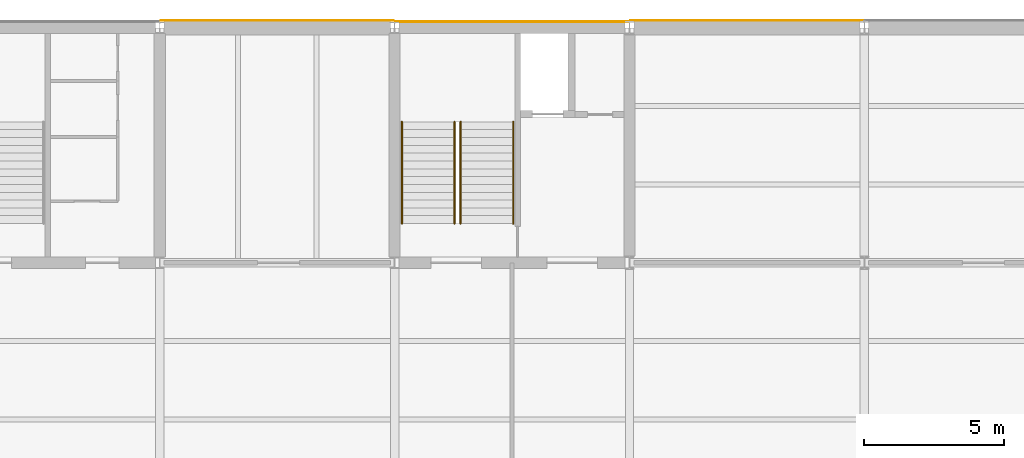
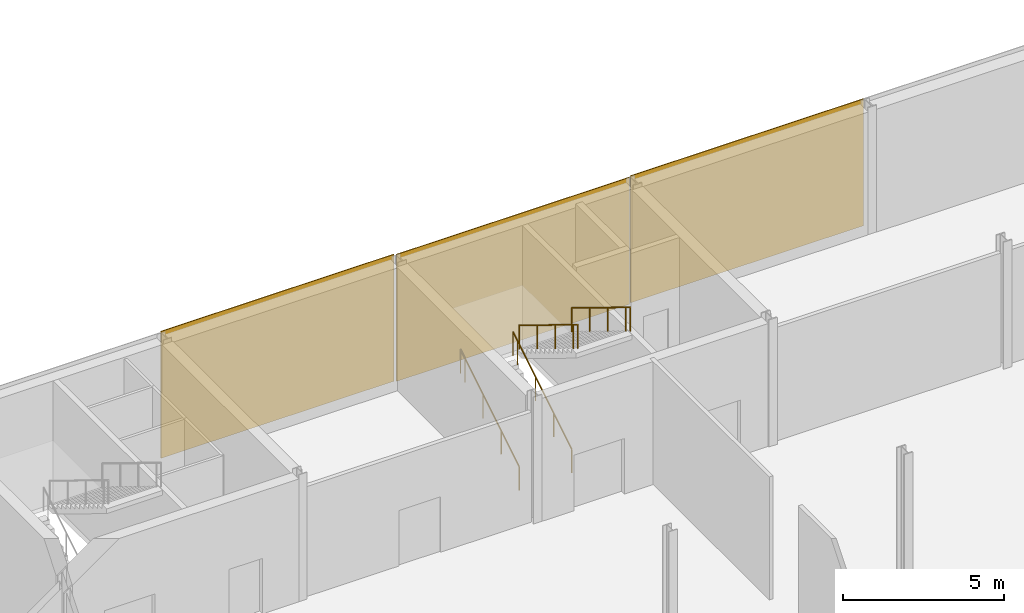
# One storey, part 50 of 57: 4 railings, 3 coverings.
"""IFC4 building model written with IfcOpenShell, lengths in metres."""

from ifc_helpers import new_model, si_unit, direction, frame, origin, origin_2d, place, context, subcontext, project, spatial, rectangle, circle, extrude, material, layer, layer_set, type_object, element, save


model = new_model("IFC4")

# Units and contexts
model_context = context("Model", 3, precision=1e-05, world=origin(), true_north=direction((0.0, 1.0)))
body_context = subcontext(model_context, "Body", "Model", "MODEL_VIEW")
ifc_project = project(units=[si_unit("LENGTHUNIT", "METRE"), si_unit("AREAUNIT", "SQUARE_METRE"), si_unit("VOLUMEUNIT", "CUBIC_METRE"), si_unit("PLANEANGLEUNIT", "RADIAN"), si_unit("MASSUNIT", "GRAM", prefix="KILO")], contexts=[model_context])

# Site, building, storey
site_placement = place(None, origin())
site = spatial("IfcSite", under=ifc_project, at=site_placement, CompositionType="ELEMENT")
building_placement = place(site_placement, origin())
building = spatial("IfcBuilding", under=site, at=building_placement, Name="Galleria Vessillo Department Store", CompositionType="ELEMENT")
storey_placement = place(building_placement, frame((0.0, 0.0, 21.0)))
storey = spatial("IfcBuildingStorey", under=building, at=storey_placement, Name="L04", CompositionType="ELEMENT", Elevation=21.0)

# Coverings
ifc_material_1 = material(Name="Lime plaster (intonaco) ochre")
ifc_layer = layer(ifc_material_1, 0.030029296875)
ifc_layer_set = layer_set([ifc_layer], Name="Lime plaster (intonaco) ochre")
covering_type = type_object("IfcCoveringType", Name="Lime plaster render 30 mm", PredefinedType="CLADDING", material=ifc_layer_set)
covering_1_placement = place(storey_placement, frame((71.39990234375, 63.264892578125, 0.0), z_axis=(0.0, 0.0, 1.0), x_axis=(1.0, 0.0, 0.0)))
element("IfcCovering", 1, at=covering_1_placement, inside=storey, type_object=covering_type, Name="Wall cladding S-PN-L04-06", PredefinedType="CLADDING", context=body_context, shape_type="SweptSolid", body=[
    extrude(rectangle(XDim=8.34033203125, YDim=0.030029296875, at=origin_2d()), origin(), (0.0, 0.0, 1.0), 4.800048828125),
])
covering_2_placement = place(storey_placement, frame((79.79833984375, 63.215087890625, 0.0), z_axis=(0.0, 0.0, 1.0), x_axis=(1.0, 0.0, 0.0)))
element("IfcCovering", 2, at=covering_2_placement, inside=storey, type_object=covering_type, Name="Wall cladding S-CW-PC-NE-PARTY-L04", PredefinedType="CLADDING", context=body_context, shape_type="SweptSolid", body=[
    extrude(rectangle(XDim=8.33642578125, YDim=0.030029296875, at=origin_2d()), origin(), (0.0, 0.0, 1.0), 4.800048828125),
])
covering_3_placement = place(storey_placement, frame((88.199951171875, 63.264892578125, 0.0), z_axis=(0.0, 0.0, 1.0), x_axis=(1.0, 0.0, 0.0)))
element("IfcCovering", 3, at=covering_3_placement, inside=storey, type_object=covering_type, Name="Wall cladding S-PN-L04-07", PredefinedType="CLADDING", context=body_context, shape_type="SweptSolid", body=[
    extrude(rectangle(XDim=8.332763671875, YDim=0.030029296875, at=origin_2d()), origin(), (0.0, 0.0, 1.0), 4.800048828125),
])

# Railings
ifc_material_2 = material(Name="Stainless steel tube", Category="steel")
railing_type = type_object("IfcRailingType", Name="Stair handrail steel tube 48 mm", PredefinedType="HANDRAIL", material=ifc_material_2)
for number, where, name in (
    (4, (75.860107421875, 56.0, 0.17138671875), "Handrail ST6 L04 flight 1A"),
    (5, (77.739990234375, 56.0, 0.17138671875), "Handrail ST6 L04 flight 1B"),
):
    element("IfcRailing", number, at=place(storey_placement, frame(where)), inside=storey, type_object=railing_type, Name=name, PredefinedType="HANDRAIL", context=body_context, shape_type="SweptSolid", body=[
        extrude(circle(Radius=0.02392578125, at=origin_2d()), frame((0.0, 0.0, 0.89599609375), z_axis=(0.0, 0.852849614702, 0.52215661894), x_axis=(-1.0, 0.0, 0.0)), (0.0, 0.0, 1.0), 1.3134765625),
        extrude(circle(Radius=0.02392578125, at=origin_2d()), frame((0.0, 1.1201171875, 1.58154296875), z_axis=(0.0, 0.852798921012, 0.522239409008), x_axis=(-1.0, 0.0, 0.0)), (0.0, 0.0, 1.0), 1.313232421875),
        extrude(circle(Radius=0.02392578125, at=origin_2d()), frame((0.0, 2.239990234375, 2.267578125), z_axis=(0.0, 0.852932391421, 0.522021393877), x_axis=(-1.0, 0.0, 0.0)), (0.0, 0.0, 1.0), 1.313232421875),
        extrude(circle(Radius=0.02392578125, at=origin_2d()), frame((0.0, 3.360107421875, 2.953125), z_axis=(0.0, 0.852729557261, 0.522352660731), x_axis=(-1.0, 0.0, 0.0)), (0.0, 0.0, 1.0), 0.328125),
        extrude(circle(Radius=0.02099609375, at=origin_2d()), origin(), (0.0, 0.0, 1.0), 0.871826171875),
        extrude(circle(Radius=0.02099609375, at=origin_2d()), frame((0.0, 1.1201171875, 0.685791015625)), (0.0, 0.0, 1.0), 0.871826171875),
        extrude(circle(Radius=0.02099609375, at=origin_2d()), frame((0.0, 2.239990234375, 1.37158203125)), (0.0, 0.0, 1.0), 0.871826171875),
        extrude(circle(Radius=0.02099609375, at=origin_2d()), frame((0.0, 3.360107421875, 2.05712890625)), (0.0, 0.0, 1.0), 0.871826171875),
        extrude(circle(Radius=0.02099609375, at=origin_2d()), frame((0.0, 3.639892578125, 2.228515625)), (0.0, 0.0, 1.0), 0.871826171875),
    ])
for number, where, name in (
    (6, (79.83984375, 59.639892578125, 2.5712890625), "Handrail ST6 L04 flight 2A"),
    (7, (77.9599609375, 59.639892578125, 2.5712890625), "Handrail ST6 L04 flight 2B"),
):
    element("IfcRailing", number, at=place(storey_placement, frame(where)), inside=storey, type_object=railing_type, Name=name, PredefinedType="HANDRAIL", context=body_context, shape_type="SweptSolid", body=[
        extrude(circle(Radius=0.02392578125, at=origin_2d()), frame((0.0, 0.0, 0.89599609375), z_axis=(0.0, -0.852849614702, 0.52215661894), x_axis=(1.0, 0.0, 0.0)), (0.0, 0.0, 1.0), 1.3134765625),
        extrude(circle(Radius=0.02392578125, at=origin_2d()), frame((0.0, -1.1201171875, 1.58154296875), z_axis=(0.0, -0.852798921012, 0.522239409008), x_axis=(1.0, 0.0, 0.0)), (0.0, 0.0, 1.0), 1.313232421875),
        extrude(circle(Radius=0.02392578125, at=origin_2d()), frame((0.0, -2.239990234375, 2.267578125), z_axis=(0.0, -0.852932391421, 0.522021393877), x_axis=(1.0, 0.0, 0.0)), (0.0, 0.0, 1.0), 1.313232421875),
        extrude(circle(Radius=0.02392578125, at=origin_2d()), frame((0.0, -3.360107421875, 2.953125), z_axis=(0.0, -0.852729557261, 0.522352660731), x_axis=(1.0, 0.0, 0.0)), (0.0, 0.0, 1.0), 0.328125),
        extrude(circle(Radius=0.02099609375, at=origin_2d()), origin(), (0.0, 0.0, 1.0), 0.871826171875),
        extrude(circle(Radius=0.02099609375, at=origin_2d()), frame((0.0, -1.1201171875, 0.685791015625)), (0.0, 0.0, 1.0), 0.871826171875),
        extrude(circle(Radius=0.02099609375, at=origin_2d()), frame((0.0, -2.239990234375, 1.37158203125)), (0.0, 0.0, 1.0), 0.871826171875),
        extrude(circle(Radius=0.02099609375, at=origin_2d()), frame((0.0, -3.360107421875, 2.05712890625)), (0.0, 0.0, 1.0), 0.871826171875),
        extrude(circle(Radius=0.02099609375, at=origin_2d()), frame((0.0, -3.639892578125, 2.228515625)), (0.0, 0.0, 1.0), 0.871826171875),
    ])

save(model, "model.ifc")
